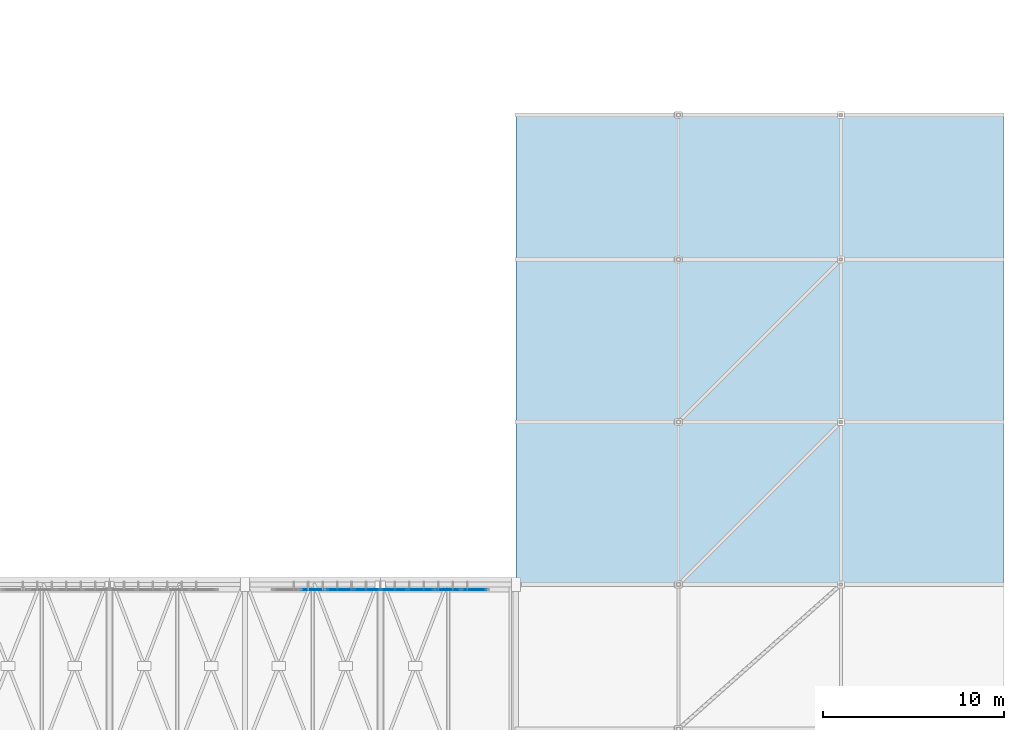
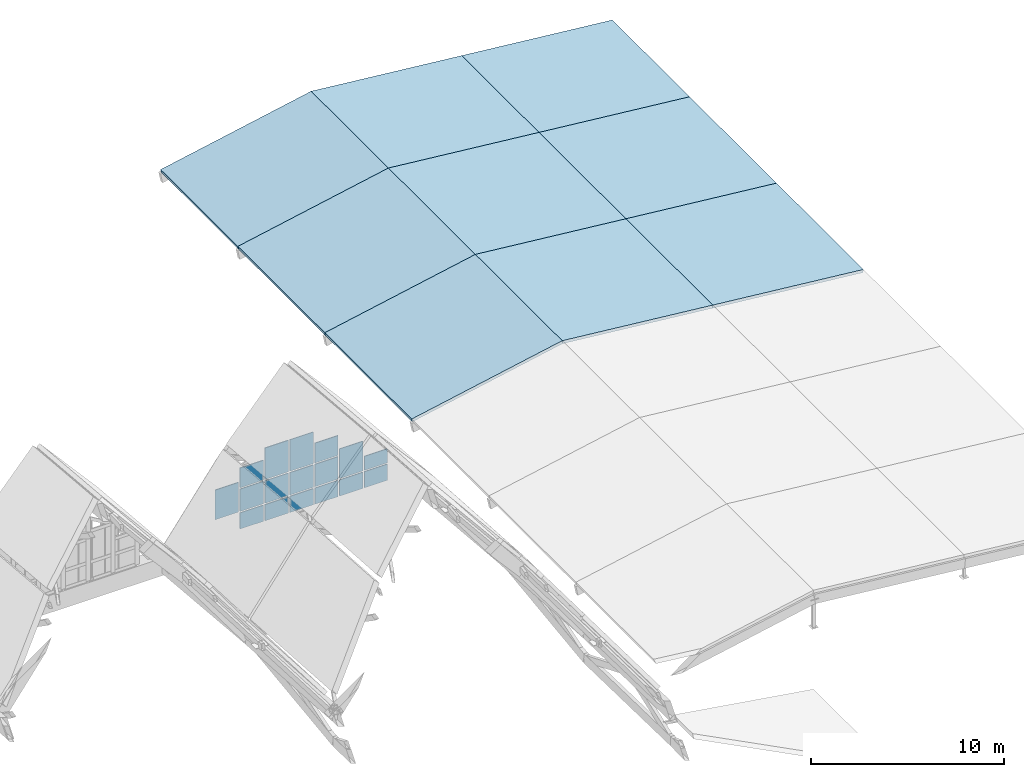
# One storey, part 66 of 93: 17 plates, 9 slabs, 1 element without a shape of its own.
"""IFC4 building model written with IfcOpenShell, lengths in metres."""

import ifcopenshell
import ifcopenshell.guid

model = None  # the IFC model being written
_history = None  # IfcOwnerHistory: only IFC2X3 demands one
_inside = {}  # id of a spatial element -> (the spatial element, [elements in it])
_under = {}  # id of a project, library or spatial element -> (it, [spatial elements below it])
_declared = {}  # id of a project -> (the project, [libraries it declares])
_typed = {}  # id of a type object -> (the type object, [elements of that type])
_made_of = {}  # id of a material, layer set ... -> (it, [elements and type objects made of it])


def new_model(schema):
    """Start an empty IFC model of exactly this schema.

    Asked for "IFC4X3", IfcOpenShell would pick the latest addendum, in which some entities
    have other attributes; the version numbers below select the first issue.
    IFC2X3 requires an IfcOwnerHistory on every rooted entity: one is made here for all.
    """
    global model, _history
    if schema == "IFC4X3":
        model = ifcopenshell.file(schema_version=(4, 3, 0, 0))
    else:
        model = ifcopenshell.file(schema=schema)
    _inside.clear()
    _under.clear()
    _declared.clear()
    _typed.clear()
    _made_of.clear()
    _history = None
    if model.schema == "IFC2X3":
        org = make("IfcOrganization", Name="unknown")
        user = make(
            "IfcPersonAndOrganization",
            ThePerson=make("IfcPerson", FamilyName="unknown"),
            TheOrganization=org,
        )
        app = make(
            "IfcApplication",
            ApplicationDeveloper=org,
            Version="unknown",
            ApplicationFullName="unknown",
            ApplicationIdentifier="unknown",
        )
        _history = make(
            "IfcOwnerHistory",
            OwningUser=user,
            OwningApplication=app,
            ChangeAction="ADDED",
            CreationDate=0,
        )
    return model


def make(cls, **values):
    """One entity of the class cls with the attributes given. An attribute that is None is left unset."""
    return model.create_entity(
        cls, **{name: value for name, value in values.items() if value is not None}
    )


def rooted(cls, **values):
    """An entity with a GlobalId (a new one), such as an element, a storey or a relation."""
    return make(cls, GlobalId=ifcopenshell.guid.new(), OwnerHistory=_history, **values)


def si_unit(unit_type, name, prefix=None):
    """IfcSIUnit, for example si_unit("LENGTHUNIT", "METRE", prefix="MILLI")."""
    return make("IfcSIUnit", UnitType=unit_type, Prefix=prefix, Name=name)


def assignment(units):
    """IfcUnitAssignment: the units of a project."""
    return None if units is None else make("IfcUnitAssignment", Units=units)


def point(xyz):
    """IfcCartesianPoint."""
    return None if xyz is None else make("IfcCartesianPoint", Coordinates=xyz)


def direction(xyz):
    """IfcDirection."""
    return None if xyz is None else make("IfcDirection", DirectionRatios=xyz)


def frame(location, z_axis=None, x_axis=None):
    """IfcAxis2Placement3D, a coordinate frame: its origin and axes. An axis left out is left unset."""
    return make(
        "IfcAxis2Placement3D",
        Location=point(location),
        Axis=direction(z_axis),
        RefDirection=direction(x_axis),
    )


def frame_2d(location, x_axis=None):
    """IfcAxis2Placement2D, a coordinate frame in the plane: its origin and x axis."""
    return make(
        "IfcAxis2Placement2D", Location=point(location), RefDirection=direction(x_axis)
    )


def origin():
    """The frame at (0, 0, 0) with its axes left unset."""
    return frame((0.0, 0.0, 0.0))


def origin_2d():
    """The frame at (0, 0) in the plane with its x axis left unset."""
    return frame_2d((0.0, 0.0))


def place(relative_to, where):
    """IfcLocalPlacement: puts the frame where relative to a parent placement (None: the world)."""
    return make(
        "IfcLocalPlacement", PlacementRelTo=relative_to, RelativePlacement=where
    )


def context(
    kind, dimensions, precision=None, world=None, true_north=None, identifier=None
):
    """IfcGeometricRepresentationContext, for example the 3D "Model" context."""
    return make(
        "IfcGeometricRepresentationContext",
        ContextIdentifier=identifier,
        ContextType=kind,
        CoordinateSpaceDimension=dimensions,
        Precision=precision,
        WorldCoordinateSystem=world,
        TrueNorth=true_north,
    )


def subcontext(parent, identifier, kind, view, scale=None):
    """IfcGeometricRepresentationSubContext, for example "Body" below "Model"."""
    return make(
        "IfcGeometricRepresentationSubContext",
        ContextIdentifier=identifier,
        ContextType=kind,
        ParentContext=parent,
        TargetScale=scale,
        TargetView=view,
    )


def project(units=None, contexts=None):
    """IfcProject with its units and contexts."""
    return rooted(
        "IfcProject",
        Name="project",
        RepresentationContexts=contexts,
        UnitsInContext=assignment(units),
    )


def spatial(cls, under=None, at=None, **own):
    """A site, building, storey or space (cls), placed at a placement, below another one or the project."""
    s = rooted(cls, ObjectPlacement=at, **own)
    if under is not None:
        _under.setdefault(under.id(), (under, []))[1].append(s)
    return s


def polyline(points):
    """IfcPolyline through the points."""
    return make("IfcPolyline", Points=[point(p) for p in points])


def profile(cls, at=None, kind="AREA", **sizes):
    """A parametric profile (cls). Its sizes go by their IFC names, for example OverallWidth=200.0."""
    return make(cls, ProfileType=kind, Position=at, **sizes)


def rectangle(**sizes):
    """IfcRectangleProfileDef."""
    return profile("IfcRectangleProfileDef", **sizes)


def outline(outer, holes=None, kind="AREA"):
    """IfcArbitraryClosedProfileDef: a profile drawn as a closed curve; with holes, ...WithVoids."""
    if holes is None:
        return make("IfcArbitraryClosedProfileDef", ProfileType=kind, OuterCurve=outer)
    return make(
        "IfcArbitraryProfileDefWithVoids",
        ProfileType=kind,
        OuterCurve=outer,
        InnerCurves=holes,
    )


def extrude(swept, where, along, depth):
    """IfcExtrudedAreaSolid: the profile swept, set in the frame where, extruded along a direction by depth."""
    return make(
        "IfcExtrudedAreaSolid",
        SweptArea=swept,
        Position=where,
        ExtrudedDirection=direction(along),
        Depth=depth,
    )


def shape(context_of_items, identifier, shape_type, items):
    """IfcShapeRepresentation: the items that make up one representation, for example the "Body"."""
    return make(
        "IfcShapeRepresentation",
        ContextOfItems=context_of_items,
        RepresentationIdentifier=identifier,
        RepresentationType=shape_type,
        Items=items,
    )


def material(Name=None, Category=None):
    """IfcMaterial."""
    return make("IfcMaterial", Name=Name, Category=Category)


def layer(
    of_material, thickness, ventilated=None, Name=None, Category=None, Priority=None
):
    """IfcMaterialLayer: one layer of a wall or slab, of a material (None: an air gap)."""
    return make(
        "IfcMaterialLayer",
        Material=of_material,
        LayerThickness=thickness,
        IsVentilated=ventilated,
        Name=Name,
        Category=Category,
        Priority=Priority,
    )


def layer_set(layers, Name=None):
    """IfcMaterialLayerSet."""
    return make("IfcMaterialLayerSet", MaterialLayers=layers, LayerSetName=Name)


def made_of(thing, what):
    """Note that an element or type object is made of a material, layer set ...; save() writes the relation."""
    if what is not None:
        _made_of.setdefault(what.id(), (what, []))[1].append(thing)
    return thing


def type_object(cls, material=None, **own):
    """A type object (cls), such as IfcWallType, which elements share."""
    return made_of(rooted(cls, **own), material)


def element(
    cls,
    number,
    at=None,
    inside=None,
    cuts=None,
    type_object=None,
    material=None,
    context=None,
    identifier="Body",
    shape_type=None,
    held_by="IfcProductDefinitionShape",
    body=None,
    shapes=None,
    **own,
):
    """One element of the class cls, such as IfcWall. Its Tag is "e" and its number.

    at: its placement. inside: the storey or other place that contains it. cuts: it is an
    opening in that element (IfcRelVoidsElement). A single representation is given by context,
    identifier, shape_type and body (its items); several are given by shapes. held_by: the class
    of the entity that holds the representations. save() writes the other relations.
    """
    e = rooted(cls, Tag="e%d" % number, ObjectPlacement=at, **own)
    if body is not None:
        shapes = [shape(context, identifier, shape_type, body)]
    if shapes is not None:
        e.Representation = make(held_by, Representations=shapes)
    if inside is not None:
        _inside.setdefault(inside.id(), (inside, []))[1].append(e)
    if cuts is not None:
        rooted(
            "IfcRelVoidsElement", RelatingBuildingElement=cuts, RelatedOpeningElement=e
        )
    if type_object is not None:
        _typed.setdefault(type_object.id(), (type_object, []))[1].append(e)
    return made_of(e, material)


def aggregate(whole, parts):
    """IfcRelAggregates: a whole, such as a stair, and the parts it consists of."""
    return rooted("IfcRelAggregates", RelatingObject=whole, RelatedObjects=parts)


def save(model, path):
    """Write the relations noted so far, then the file.

    IfcRelAggregates (storeys below a building ...), IfcRelContainedInSpatialStructure (elements
    in a storey), IfcRelDefinesByType, IfcRelAssociatesMaterial and IfcRelDeclares: one each for
    every whole, place, type object, material and project.
    """
    for whole, parts in _under.values():
        aggregate(whole, parts)
    for where, things in _inside.values():
        rooted(
            "IfcRelContainedInSpatialStructure",
            RelatedElements=things,
            RelatingStructure=where,
        )
    for kind, things in _typed.values():
        rooted("IfcRelDefinesByType", RelatedObjects=things, RelatingType=kind)
    for what, things in _made_of.values():
        rooted("IfcRelAssociatesMaterial", RelatedObjects=things, RelatingMaterial=what)
    for by, libraries in _declared.values():
        rooted("IfcRelDeclares", RelatingContext=by, RelatedDefinitions=libraries)
    model.write(path)


model = new_model("IFC4")

# Units and contexts
model_context = context("Model", 3, precision=1e-05, world=origin(), true_north=direction((0.0, 1.0)))
body_context = subcontext(model_context, "Body", "Model", "MODEL_VIEW")
ifc_project = project(units=[si_unit("LENGTHUNIT", "METRE"), si_unit("AREAUNIT", "SQUARE_METRE"), si_unit("VOLUMEUNIT", "CUBIC_METRE"), si_unit("PLANEANGLEUNIT", "RADIAN"), si_unit("MASSUNIT", "GRAM", prefix="KILO")], contexts=[model_context])

# Site, building, storey
site_placement = place(None, origin())
site = spatial("IfcSite", under=ifc_project, at=site_placement, CompositionType="ELEMENT")
building_placement = place(site_placement, origin())
building = spatial("IfcBuilding", under=site, at=building_placement, Name="Vourika Railside Aquatics Centre", CompositionType="ELEMENT")
storey_placement = place(building_placement, frame((0.0, 0.0, 21.89990234375)))
storey = spatial("IfcBuildingStorey", under=building, at=storey_placement, Name="Roof", CompositionType="ELEMENT", Elevation=21.89990234375)

# Curtain wall, plates
ifc_material_1 = material(Name="Anodized thermally broken aluminium", Category="aluminium")
curtain_wall_type = type_object("IfcCurtainWallType", Name="CW-VLTN1", PredefinedType="NOTDEFINED", material=ifc_material_1)
curtain_wall_placement = place(storey_placement, origin())
curtain_wall = element("IfcCurtainWall", 1, at=curtain_wall_placement, inside=storey, type_object=curtain_wall_type, Name="North Courtyard Pointed-Arch Curtain Wall Bay 7", PredefinedType="NOTDEFINED")
ifc_material_2 = material(Name="Low-E solar-control laminated double glazing", Category="glass")
ifc_layer_1 = layer(ifc_material_2, 0.048095703125, Name="CWP-VLTN1")
ifc_layer_set_1 = layer_set([ifc_layer_1], Name="Low-E solar-control laminated double glazing")
plate_type = type_object("IfcPlateType", Name="CWP-VLTN1", PredefinedType="CURTAIN_PANEL", material=ifc_layer_set_1)
plate_1_placement = place(storey_placement, frame((138.68505859375, 65.719970703125, -11.014892578125), z_axis=(0.0, 0.0, 1.0), x_axis=(-1.0, 0.0, 0.0)))
plate_1 = element("IfcPlate", 2, at=plate_1_placement, type_object=plate_type, Name="CW01 glazed panel 1.1", PredefinedType="CURTAIN_PANEL", context=body_context, shape_type="SweptSolid", body=[
    extrude(rectangle(XDim=1.360107421875, YDim=0.048095703125, at=origin_2d()), origin(), (0.0, 0.0, 1.0), 1.0224609375),
])
plate_2_placement = place(storey_placement, frame((138.68505859375, 65.719970703125, -9.9072265625), z_axis=(0.0, 0.0, 1.0), x_axis=(-1.0, 0.0, 0.0)))
plate_2 = element("IfcPlate", 3, at=plate_2_placement, type_object=plate_type, Name="CW01 glazed panel 1.2", PredefinedType="CURTAIN_PANEL", context=body_context, shape_type="SweptSolid", body=[
    extrude(rectangle(XDim=1.360107421875, YDim=0.048095703125, at=origin_2d()), origin(), (0.0, 0.0, 1.0), 0.884521484375),
])
plate_3_placement = place(storey_placement, frame((137.21875, 65.719970703125, -11.014892578125), z_axis=(0.0, 0.0, 1.0), x_axis=(-1.0, 0.0, 0.0)))
plate_3 = element("IfcPlate", 4, at=plate_3_placement, type_object=plate_type, Name="CW01 glazed panel 2.1", PredefinedType="CURTAIN_PANEL", context=body_context, shape_type="SweptSolid", body=[
    extrude(rectangle(XDim=1.402587890625, YDim=0.048095703125, at=origin_2d()), origin(), (0.0, 0.0, 1.0), 1.0224609375),
])
plate_4_placement = place(storey_placement, frame((137.21875, 65.719970703125, -9.907470703125), z_axis=(0.0, 0.0, 1.0), x_axis=(-1.0, 0.0, 0.0)))
plate_4 = element("IfcPlate", 5, at=plate_4_placement, type_object=plate_type, Name="CW01 glazed panel 2.2", PredefinedType="CURTAIN_PANEL", context=body_context, shape_type="SweptSolid", body=[
    extrude(rectangle(XDim=1.402587890625, YDim=0.048095703125, at=origin_2d()), origin(), (0.0, 0.0, 1.0), 1.87548828125),
])
plate_5_placement = place(storey_placement, frame((135.731201171875, 65.719970703125, -11.014892578125), z_axis=(0.0, 0.0, 1.0), x_axis=(-1.0, 0.0, 0.0)))
plate_5 = element("IfcPlate", 6, at=plate_5_placement, type_object=plate_type, Name="CW01 glazed panel 3.1", PredefinedType="CURTAIN_PANEL", context=body_context, shape_type="SweptSolid", body=[
    extrude(rectangle(XDim=1.402587890625, YDim=0.048095703125, at=origin_2d()), origin(), (0.0, 0.0, 1.0), 1.0224609375),
])
plate_6_placement = place(storey_placement, frame((135.731201171875, 65.719970703125, -9.907470703125), z_axis=(0.0, 0.0, 1.0), x_axis=(-1.0, 0.0, 0.0)))
plate_6 = element("IfcPlate", 7, at=plate_6_placement, type_object=plate_type, Name="CW01 glazed panel 3.2", PredefinedType="CURTAIN_PANEL", context=body_context, shape_type="SweptSolid", body=[
    extrude(rectangle(XDim=1.402587890625, YDim=0.048095703125, at=origin_2d()), origin(), (0.0, 0.0, 1.0), 1.4150390625),
])
plate_7_placement = place(storey_placement, frame((135.731201171875, 65.719970703125, -8.4072265625), z_axis=(0.0, 0.0, 1.0), x_axis=(-1.0, 0.0, 0.0)))
plate_7 = element("IfcPlate", 8, at=plate_7_placement, type_object=plate_type, Name="CW01 glazed panel 3.3", PredefinedType="CURTAIN_PANEL", context=body_context, shape_type="SweptSolid", body=[
    extrude(rectangle(XDim=1.402587890625, YDim=0.048095703125, at=origin_2d()), origin(), (0.0, 0.0, 1.0), 1.255615234375),
])
plate_8_placement = place(storey_placement, frame((134.24365234375, 65.719970703125, -11.014892578125), z_axis=(0.0, 0.0, 1.0), x_axis=(-1.0, 0.0, 0.0)))
plate_8 = element("IfcPlate", 9, at=plate_8_placement, type_object=plate_type, Name="CW01 glazed panel 4.1", PredefinedType="CURTAIN_PANEL", context=body_context, shape_type="SweptSolid", body=[
    extrude(rectangle(XDim=1.402587890625, YDim=0.048095703125, at=origin_2d()), origin(), (0.0, 0.0, 1.0), 1.0224609375),
])
plate_9_placement = place(storey_placement, frame((134.24365234375, 65.719970703125, -9.907470703125), z_axis=(0.0, 0.0, 1.0), x_axis=(-1.0, 0.0, 0.0)))
plate_9 = element("IfcPlate", 10, at=plate_9_placement, type_object=plate_type, Name="CW01 glazed panel 4.2", PredefinedType="CURTAIN_PANEL", context=body_context, shape_type="SweptSolid", body=[
    extrude(rectangle(XDim=1.402587890625, YDim=0.048095703125, at=origin_2d()), origin(), (0.0, 0.0, 1.0), 1.4150390625),
])
plate_10_placement = place(storey_placement, frame((134.24365234375, 65.719970703125, -8.4072265625), z_axis=(0.0, 0.0, 1.0), x_axis=(-1.0, 0.0, 0.0)))
plate_10 = element("IfcPlate", 11, at=plate_10_placement, type_object=plate_type, Name="CW01 glazed panel 4.3", PredefinedType="CURTAIN_PANEL", context=body_context, shape_type="SweptSolid", body=[
    extrude(rectangle(XDim=1.402587890625, YDim=0.048095703125, at=origin_2d()), origin(), (0.0, 0.0, 1.0), 1.992431640625),
])
plate_11_placement = place(storey_placement, frame((132.75634765625, 65.719970703125, -11.014892578125), z_axis=(0.0, 0.0, 1.0), x_axis=(-1.0, 0.0, 0.0)))
plate_11 = element("IfcPlate", 12, at=plate_11_placement, type_object=plate_type, Name="CW01 glazed panel 5.1", PredefinedType="CURTAIN_PANEL", context=body_context, shape_type="SweptSolid", body=[
    extrude(rectangle(XDim=1.402587890625, YDim=0.048095703125, at=origin_2d()), origin(), (0.0, 0.0, 1.0), 1.0224609375),
])
plate_12_placement = place(storey_placement, frame((132.75634765625, 65.719970703125, -9.907470703125), z_axis=(0.0, 0.0, 1.0), x_axis=(-1.0, 0.0, 0.0)))
plate_12 = element("IfcPlate", 13, at=plate_12_placement, type_object=plate_type, Name="CW01 glazed panel 5.2", PredefinedType="CURTAIN_PANEL", context=body_context, shape_type="SweptSolid", body=[
    extrude(rectangle(XDim=1.402587890625, YDim=0.048095703125, at=origin_2d()), origin(), (0.0, 0.0, 1.0), 1.4150390625),
])
plate_13_placement = place(storey_placement, frame((132.75634765625, 65.719970703125, -8.4072265625), z_axis=(0.0, 0.0, 1.0), x_axis=(-1.0, 0.0, 0.0)))
plate_13 = element("IfcPlate", 14, at=plate_13_placement, type_object=plate_type, Name="CW01 glazed panel 5.3", PredefinedType="CURTAIN_PANEL", context=body_context, shape_type="SweptSolid", body=[
    extrude(rectangle(XDim=1.402587890625, YDim=0.048095703125, at=origin_2d()), origin(), (0.0, 0.0, 1.0), 1.992431640625),
])
plate_14_placement = place(storey_placement, frame((131.268798828125, 65.719970703125, -11.014892578125), z_axis=(0.0, 0.0, 1.0), x_axis=(-1.0, 0.0, 0.0)))
plate_14 = element("IfcPlate", 15, at=plate_14_placement, type_object=plate_type, Name="CW01 glazed panel 6.1", PredefinedType="CURTAIN_PANEL", context=body_context, shape_type="SweptSolid", body=[
    extrude(rectangle(XDim=1.402587890625, YDim=0.048095703125, at=origin_2d()), origin(), (0.0, 0.0, 1.0), 1.0224609375),
])
plate_15_placement = place(storey_placement, frame((131.268798828125, 65.719970703125, -9.907470703125), z_axis=(0.0, 0.0, 1.0), x_axis=(-1.0, 0.0, 0.0)))
plate_15 = element("IfcPlate", 16, at=plate_15_placement, type_object=plate_type, Name="CW01 glazed panel 6.2", PredefinedType="CURTAIN_PANEL", context=body_context, shape_type="SweptSolid", body=[
    extrude(rectangle(XDim=1.402587890625, YDim=0.048095703125, at=origin_2d()), origin(), (0.0, 0.0, 1.0), 1.4150390625),
])
plate_16_placement = place(storey_placement, frame((131.268798828125, 65.719970703125, -8.4072265625), z_axis=(0.0, 0.0, 1.0), x_axis=(-1.0, 0.0, 0.0)))
plate_16 = element("IfcPlate", 17, at=plate_16_placement, type_object=plate_type, Name="CW01 glazed panel 6.3", PredefinedType="CURTAIN_PANEL", context=body_context, shape_type="SweptSolid", body=[
    extrude(rectangle(XDim=1.402587890625, YDim=0.048095703125, at=origin_2d()), origin(), (0.0, 0.0, 1.0), 1.255615234375),
])
plate_17_placement = place(storey_placement, frame((129.78125, 65.719970703125, -9.907470703125), z_axis=(0.0, 0.0, 1.0), x_axis=(-1.0, 0.0, 0.0)))
plate_17 = element("IfcPlate", 18, at=plate_17_placement, type_object=plate_type, Name="CW01 glazed panel 7.2", PredefinedType="CURTAIN_PANEL", context=body_context, shape_type="SweptSolid", body=[
    extrude(rectangle(XDim=1.402587890625, YDim=0.048095703125, at=origin_2d()), origin(), (0.0, 0.0, 1.0), 1.87548828125),
])
aggregate(curtain_wall, [plate_1, plate_2, plate_3, plate_4, plate_5, plate_6, plate_7, plate_8, plate_9, plate_10, plate_11, plate_12, plate_13, plate_14, plate_15, plate_16, plate_17])

# Slabs
ifc_material_3 = material(Name="Glulam GL28h", Category="wood")
ifc_layer_2 = layer(ifc_material_3, 0.18994140625, Name="SLB-ROOF-CAN190")
ifc_layer_set_2 = layer_set([ifc_layer_2], Name="Glulam GL28h")
slab_type = type_object("IfcSlabType", Name="SLB-ROOF-CAN190", PredefinedType="ROOF", material=ifc_layer_set_2)
slab_1_placement = place(storey_placement, frame((141.0, 66.0, -7.89990234375), z_axis=(-0.196121250506, 0.0, 0.980579652604), x_axis=(0.980579652604, 0.0, 0.196121250506)))
element("IfcSlab", 19, at=slab_1_placement, inside=storey, type_object=slab_type, Name="Civic Foyer Swept Canopy Roof Slab 194", PredefinedType="ROOF", context=body_context, shape_type="SweptSolid", body=[
    extrude(outline(polyline([(0.0, 0.0), (9.17824470057506, 0.0), (9.17824470057506, 9.0), (0.0, 9.0), (0.0, 0.0)])), origin(), (0.0, 0.0, -1.0), 0.18994140625),
])
slab_2_placement = place(storey_placement, frame((150.0, 66.0, -6.099853515625), z_axis=(0.0995197539, 0.0, 0.995035586592), x_axis=(0.995035586592, 0.0, -0.0995197539)))
element("IfcSlab", 20, at=slab_2_placement, inside=storey, type_object=slab_type, Name="Civic Foyer Swept Canopy Roof Slab 195", PredefinedType="ROOF", context=body_context, shape_type="SweptSolid", body=[
    extrude(outline(polyline([(0.0, 0.0), (9.044902635923323, 0.0), (9.044902635923323, 9.0), (0.0, 9.0), (0.0, 0.0)])), origin(), (0.0, 0.0, -1.0), 0.18994140625),
])
slab_3_placement = place(storey_placement, frame((159.0, 66.0, -7.0), z_axis=(0.099493029059, 0.0, 0.995038259148), x_axis=(0.995038259148, 0.0, -0.099493029059)))
element("IfcSlab", 21, at=slab_3_placement, inside=storey, type_object=slab_type, Name="Civic Foyer Swept Canopy Roof Slab 196", PredefinedType="ROOF", context=body_context, shape_type="SweptSolid", body=[
    extrude(outline(polyline([(0.0, 0.0), (9.044878342370712, 0.0), (9.044878342370712, 9.0), (0.0, 9.0), (0.0, 0.0)])), origin(), (0.0, 0.0, -1.0), 0.18994140625),
])
slab_4_placement = place(storey_placement, frame((141.0, 75.0, -7.89990234375), z_axis=(-0.196121250506, 0.0, 0.980579652604), x_axis=(0.980579652604, 0.0, 0.196121250506)))
element("IfcSlab", 22, at=slab_4_placement, inside=storey, type_object=slab_type, Name="Civic Foyer Swept Canopy Roof Slab 197", PredefinedType="ROOF", context=body_context, shape_type="SweptSolid", body=[
    extrude(outline(polyline([(0.0, 0.0), (9.17824470057506, 0.0), (9.17824470057506, 9.0), (0.0, 9.0), (0.0, 0.0)])), origin(), (0.0, 0.0, -1.0), 0.18994140625),
])
slab_5_placement = place(storey_placement, frame((150.0, 75.0, -6.099853515625), z_axis=(0.0995197539, 0.0, 0.995035586592), x_axis=(0.995035586592, 0.0, -0.0995197539)))
element("IfcSlab", 23, at=slab_5_placement, inside=storey, type_object=slab_type, Name="Civic Foyer Swept Canopy Roof Slab 198", PredefinedType="ROOF", context=body_context, shape_type="SweptSolid", body=[
    extrude(outline(polyline([(0.0, 0.0), (9.044902635923323, 0.0), (9.044902635923323, 9.0), (0.0, 9.0), (0.0, 0.0)])), origin(), (0.0, 0.0, -1.0), 0.18994140625),
])
slab_6_placement = place(storey_placement, frame((159.0, 75.0, -7.0), z_axis=(0.099493029059, 0.0, 0.995038259148), x_axis=(0.995038259148, 0.0, -0.099493029059)))
element("IfcSlab", 24, at=slab_6_placement, inside=storey, type_object=slab_type, Name="Civic Foyer Swept Canopy Roof Slab 199", PredefinedType="ROOF", context=body_context, shape_type="SweptSolid", body=[
    extrude(outline(polyline([(0.0, 0.0), (9.044878342370712, 0.0), (9.044878342370712, 9.0), (0.0, 9.0), (0.0, 0.0)])), origin(), (0.0, 0.0, -1.0), 0.18994140625),
])
slab_7_placement = place(storey_placement, frame((141.0, 84.0, -7.89990234375), z_axis=(-0.196121250506, 0.0, 0.980579652604), x_axis=(0.980579652604, 0.0, 0.196121250506)))
element("IfcSlab", 25, at=slab_7_placement, inside=storey, type_object=slab_type, Name="Civic Foyer Swept Canopy Roof Slab 200", PredefinedType="ROOF", context=body_context, shape_type="SweptSolid", body=[
    extrude(outline(polyline([(0.0, 0.0), (9.17824470057506, 0.0), (9.17824470057506, 8.000000000000002), (0.0, 8.000000000000002), (0.0, 0.0)])), origin(), (0.0, 0.0, -1.0), 0.18994140625),
])
slab_8_placement = place(storey_placement, frame((150.0, 84.0, -6.099853515625), z_axis=(0.0995197539, 0.0, 0.995035586592), x_axis=(0.995035586592, 0.0, -0.0995197539)))
element("IfcSlab", 26, at=slab_8_placement, inside=storey, type_object=slab_type, Name="Civic Foyer Swept Canopy Roof Slab 201", PredefinedType="ROOF", context=body_context, shape_type="SweptSolid", body=[
    extrude(outline(polyline([(0.0, 0.0), (9.044902635923323, 0.0), (9.044902635923323, 8.0), (0.0, 8.0), (0.0, 0.0)])), origin(), (0.0, 0.0, -1.0), 0.18994140625),
])
slab_9_placement = place(storey_placement, frame((159.0, 84.0, -7.0), z_axis=(0.099493029059, 0.0, 0.995038259148), x_axis=(0.995038259148, 0.0, -0.099493029059)))
element("IfcSlab", 27, at=slab_9_placement, inside=storey, type_object=slab_type, Name="Civic Foyer Swept Canopy Roof Slab 202", PredefinedType="ROOF", context=body_context, shape_type="SweptSolid", body=[
    extrude(outline(polyline([(0.0, 0.0), (9.044878342370712, 0.0), (9.044878342370712, 7.999999999999999), (0.0, 7.999999999999999), (0.0, 0.0)])), origin(), (0.0, 0.0, -1.0), 0.18994140625),
])

save(model, "model.ifc")
